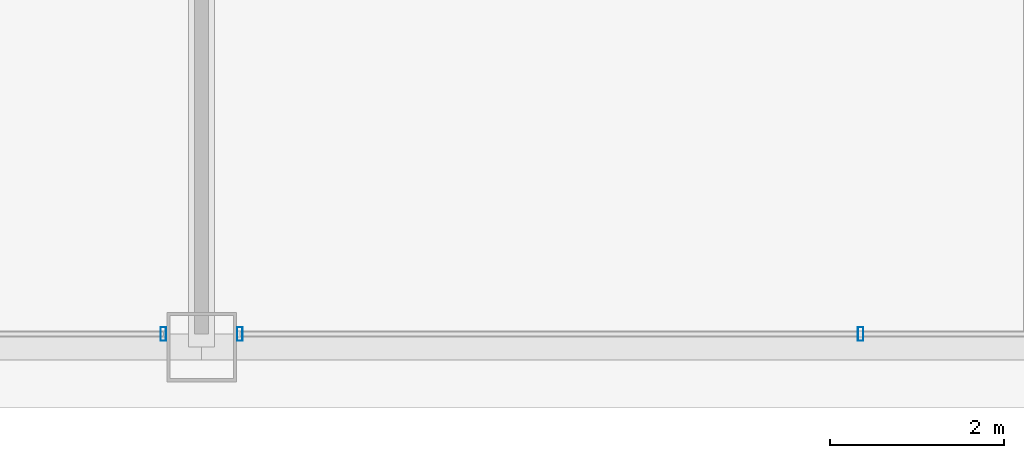
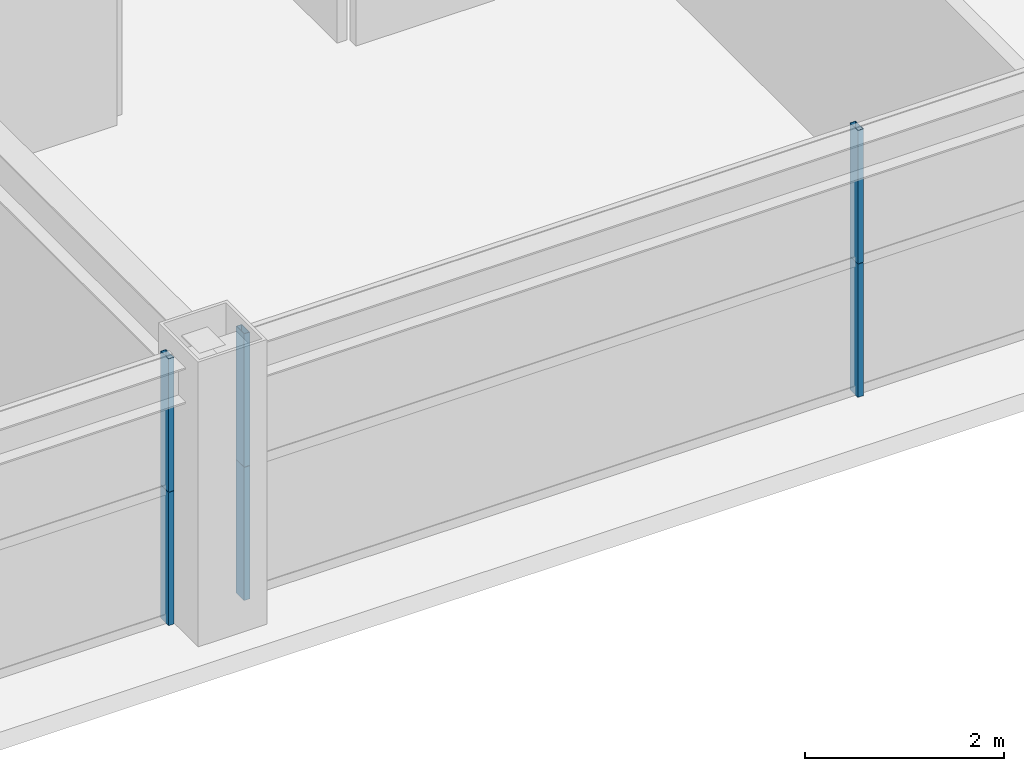
# One storey, part 10 of 38: 6 members, 2 elements without a shape of their own.
"""IFC4 building model written with IfcOpenShell, lengths in metres."""

from ifc_helpers import new_model, si_unit, direction, frame, origin, origin_2d, place, context, subcontext, project, spatial, hollow_rectangle, extrude, source, transform, mapped, material, layer, layer_set, material_profile, profile_set, type_object, element, aggregate, save


model = new_model("IFC4")

# Units and contexts
model_context = context("Model", 3, precision=1e-05, world=origin(), true_north=direction((0.0, 1.0)))
body_context = subcontext(model_context, "Body", "Model", "MODEL_VIEW")
ifc_project = project(units=[si_unit("LENGTHUNIT", "METRE"), si_unit("AREAUNIT", "SQUARE_METRE"), si_unit("VOLUMEUNIT", "CUBIC_METRE"), si_unit("PLANEANGLEUNIT", "RADIAN"), si_unit("MASSUNIT", "GRAM", prefix="KILO"), si_unit("THERMODYNAMICTEMPERATUREUNIT", "KELVIN"), si_unit("POWERUNIT", "WATT")], contexts=[model_context])

# Site, building, storey
site_placement = place(None, origin())
site = spatial("IfcSite", under=ifc_project, at=site_placement, CompositionType="ELEMENT")
building_placement = place(site_placement, origin())
building = spatial("IfcBuilding", under=site, at=building_placement, Name="Yuzanri Waterfront Tower", CompositionType="ELEMENT")
storey_placement = place(building_placement, frame((0.0, 0.0, 188.0)))
storey = spatial("IfcBuildingStorey", under=building, at=storey_placement, Name="L49", CompositionType="ELEMENT", Elevation=188.0)

# Curtain wall, members
ifc_material_1 = material(Name="Anodized Architectural Bronze", Category="metal")
ifc_layer = layer(ifc_material_1, 0.159912109375)
ifc_layer_set = layer_set([ifc_layer], Name="Anodized Architectural Bronze")
curtain_wall_type = type_object("IfcCurtainWallType", Name="Anodized Bronze Mid-Rise Residential Acoustic Unitized Curtain Wall 7200", PredefinedType="NOTDEFINED", material=ifc_layer_set)
curtain_wall_1_placement = place(storey_placement, origin())
curtain_wall_1 = element("IfcCurtainWall", 1, at=curtain_wall_1_placement, inside=storey, type_object=curtain_wall_type, Name="L49 Curtain Wall CW-L49-SL", PredefinedType="NOTDEFINED")
ifc_material_2 = material(Name="Anodized Architectural Bronze", Category="metal")
ifc_material_profile = material_profile(ifc_material_2, hollow_rectangle(XDim=0.06494140625, YDim=0.159912109375, WallThickness=0.00341796875, at=origin_2d()), Name="CWM 65x160")
ifc_profile_set = profile_set([ifc_material_profile], Name="Anodized Architectural Bronze")
member_type = type_object("IfcMemberType", Name="Anodized Bronze Upper-Zone Curtain-Wall Mullion 65x160", PredefinedType="MULLION", material=ifc_profile_set)
shared_shape = source(origin(), body_context, "Body", "SweptSolid", [
    extrude(hollow_rectangle(XDim=0.06494140625, YDim=0.159912109375, WallThickness=0.00341796875, at=origin_2d()), origin(), (0.0, 0.0, 1.0), 1.637939453125),
])
member_1_placement = place(storey_placement, frame((36.56005859375, 3.85009765625, 0.0), z_axis=(0.0, 0.0, 1.0), x_axis=(1.0, 0.0, 0.0)))
member_1 = element("IfcMember", 2, at=member_1_placement, type_object=member_type, Name="CW-L49-SL Lower Mullion 02", PredefinedType="MULLION", context=body_context, shape_type="MappedRepresentation", body=[
    mapped(shared_shape, transform((0.0, 0.0, 0.0), scale=1.0)),
])
member_2_placement = place(storey_placement, frame((36.56005859375, 3.85009765625, 1.64208984375), z_axis=(0.0, 0.0, 1.0), x_axis=(1.0, 0.0, 0.0)))
member_2 = element("IfcMember", 3, at=member_2_placement, type_object=member_type, Name="CW-L49-SL Upper Mullion 02", PredefinedType="MULLION", context=body_context, shape_type="MappedRepresentation", body=[
    mapped(shared_shape, transform((0.0, 0.0, 0.0), scale=1.0)),
])
aggregate(curtain_wall_1, [member_1, member_2])

curtain_wall_2_placement = place(storey_placement, origin())
curtain_wall_2 = element("IfcCurtainWall", 4, at=curtain_wall_2_placement, inside=storey, type_object=curtain_wall_type, Name="L49 Curtain Wall CW-L49-SR", PredefinedType="NOTDEFINED")
member_3_placement = place(storey_placement, frame((37.43994140625, 3.85009765625, 0.0), z_axis=(0.0, 0.0, 1.0), x_axis=(1.0, 0.0, 0.0)))
member_3 = element("IfcMember", 5, at=member_3_placement, type_object=member_type, Name="CW-L49-SR Lower Mullion 00", PredefinedType="MULLION", context=body_context, shape_type="MappedRepresentation", body=[
    mapped(shared_shape, transform((0.0, 0.0, 0.0), scale=1.0)),
])
member_4_placement = place(storey_placement, frame((37.43994140625, 3.85009765625, 1.64208984375), z_axis=(0.0, 0.0, 1.0), x_axis=(1.0, 0.0, 0.0)))
member_4 = element("IfcMember", 6, at=member_4_placement, type_object=member_type, Name="CW-L49-SR Upper Mullion 00", PredefinedType="MULLION", context=body_context, shape_type="MappedRepresentation", body=[
    mapped(shared_shape, transform((0.0, 0.0, 0.0), scale=1.0)),
])
member_5_placement = place(storey_placement, frame((44.574951171875, 3.85009765625, 0.0), z_axis=(0.0, 0.0, 1.0), x_axis=(1.0, 0.0, 0.0)))
member_5 = element("IfcMember", 7, at=member_5_placement, type_object=member_type, Name="CW-L49-SR Lower Mullion 01", PredefinedType="MULLION", context=body_context, shape_type="MappedRepresentation", body=[
    mapped(shared_shape, transform((0.0, 0.0, 0.0), scale=1.0)),
])
member_6_placement = place(storey_placement, frame((44.574951171875, 3.85009765625, 1.64208984375), z_axis=(0.0, 0.0, 1.0), x_axis=(1.0, 0.0, 0.0)))
member_6 = element("IfcMember", 8, at=member_6_placement, type_object=member_type, Name="CW-L49-SR Upper Mullion 01", PredefinedType="MULLION", context=body_context, shape_type="MappedRepresentation", body=[
    mapped(shared_shape, transform((0.0, 0.0, 0.0), scale=1.0)),
])
aggregate(curtain_wall_2, [member_3, member_4, member_5, member_6])

save(model, "model.ifc")
